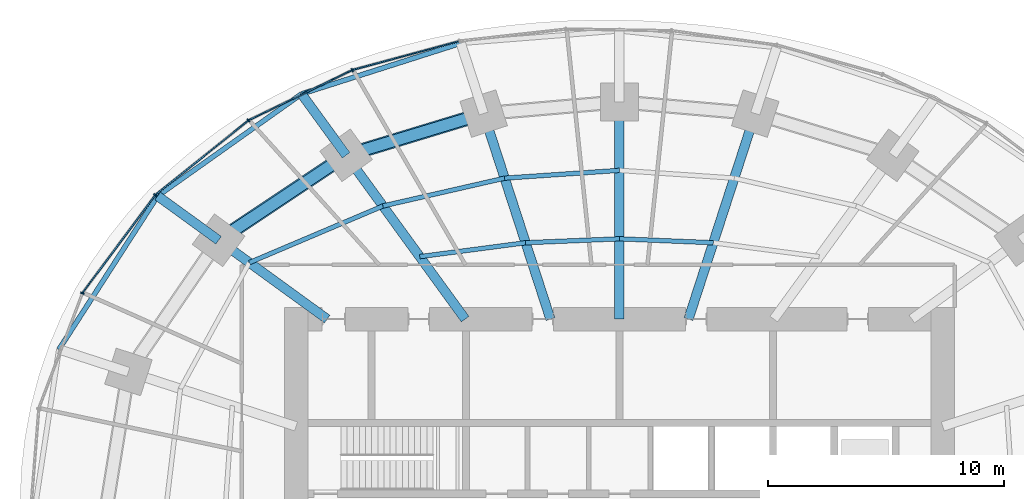
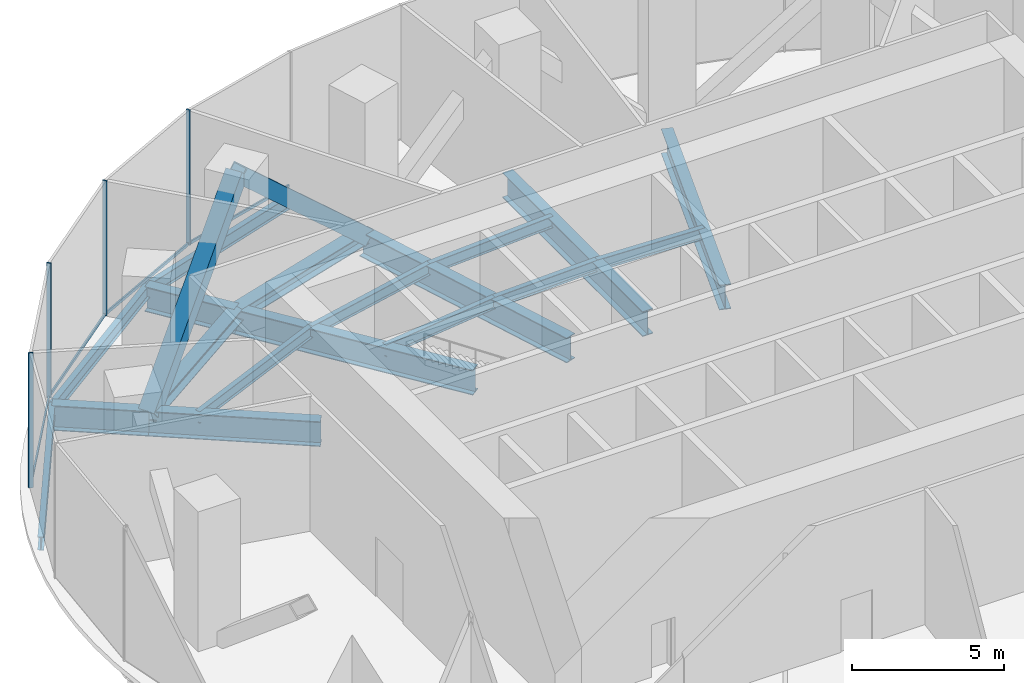
# One storey, part 7 of 14: 16 beams, 12 members, 2 elements without a shape of their own.
"""IFC4 building model written with IfcOpenShell, lengths in metres."""

from ifc_helpers import new_model, si_unit, direction, frame, origin, origin_2d, place, context, subcontext, project, spatial, rectangle, hollow_rectangle, i_section, extrude, material, material_profile, profile_set, type_object, element, aggregate, save


model = new_model("IFC4")

# Units and contexts
model_context = context("Model", 3, precision=1e-05, world=origin(), true_north=direction((0.0, 1.0)))
body_context = subcontext(model_context, "Body", "Model", "MODEL_VIEW")
ifc_project = project(units=[si_unit("LENGTHUNIT", "METRE"), si_unit("AREAUNIT", "SQUARE_METRE"), si_unit("VOLUMEUNIT", "CUBIC_METRE"), si_unit("PLANEANGLEUNIT", "RADIAN"), si_unit("MASSUNIT", "GRAM", prefix="KILO")], contexts=[model_context])

# Site, building, storey
site_placement = place(None, origin())
site = spatial("IfcSite", under=ifc_project, at=site_placement, CompositionType="ELEMENT")
building_placement = place(site_placement, origin())
building = spatial("IfcBuilding", under=site, at=building_placement, Name="Marramba Exchange Tower", CompositionType="ELEMENT")
storey_placement = place(building_placement, frame((0.0, 0.0, 166.5)))
storey = spatial("IfcBuildingStorey", under=building, at=storey_placement, Name="L40", CompositionType="ELEMENT", Elevation=166.5)

# Members
ifc_material_1 = material(Name="Steel AS/NZS 3679.2 grade 300", Category="steel")
ifc_material_profile_1 = material_profile(ifc_material_1, i_section(OverallWidth=0.5, OverallDepth=0.48388671875, WebThickness=0.02490234375, FlangeThickness=0.031982421875, at=origin_2d()), Name="500WC340")
ifc_profile_set_1 = profile_set([ifc_material_profile_1], Name="Steel AS/NZS 3679.2 grade 300")
member_type_1 = type_object("IfcMemberType", Name="Belt truss chord 500WC340", PredefinedType="CHORD", material=ifc_profile_set_1)
member_1_placement = place(storey_placement, frame((-5.75390625, 17.70849609375, -0.44189453125), z_axis=(-0.956924542524, -0.290336735387, 0.0), x_axis=(0.290336735387, -0.956924542524, 0.0)))
element("IfcMember", 1, at=member_1_placement, inside=storey, type_object=member_type_1, Name="Belt chord L40 TC07-TC08", PredefinedType="CHORD", context=body_context, shape_type="SweptSolid", body=[
    extrude(i_section(OverallWidth=0.5, OverallDepth=0.48388671875, WebThickness=0.02490234375, FlangeThickness=0.031982421875, at=origin_2d()), origin(), (0.0, 0.0, 1.0), 6.089599609375),
])
member_2_placement = place(storey_placement, frame((-11.581298828125, 15.9404296875, -0.44189453125), z_axis=(-0.832293151443, -0.554335737673, 0.0), x_axis=(0.554335737673, -0.832293151443, 0.0)))
element("IfcMember", 2, at=member_2_placement, inside=storey, type_object=member_type_1, Name="Belt chord L40 TC08-TC09", PredefinedType="CHORD", context=body_context, shape_type="SweptSolid", body=[
    extrude(i_section(OverallWidth=0.5, OverallDepth=0.48388671875, WebThickness=0.02490234375, FlangeThickness=0.031982421875, at=origin_2d()), origin(), (0.0, 0.0, 1.0), 6.49365234375),
])
ifc_material_2 = material(Name="Steel AS/NZS 3678 grade 350", Category="steel")
ifc_material_profile_2 = material_profile(ifc_material_2, hollow_rectangle(XDim=0.60009765625, YDim=0.60009765625, WallThickness=0.0400390625, at=origin_2d()), Name="600x600x40BOX")
ifc_profile_set_2 = profile_set([ifc_material_profile_2], Name="Steel AS/NZS 3678 grade 350")
member_type_2 = type_object("IfcMemberType", Name="Belt truss diagonal 600x600x40BOX", PredefinedType="BRACE", material=ifc_profile_set_2)
member_3_placement = place(storey_placement, frame((-5.75390625, 17.70849609375, -0.44189453125), z_axis=(-0.704384845581, -0.213714652968, 0.676881109518), x_axis=(0.290336735387, -0.956924542524, 0.0)))
element("IfcMember", 3, at=member_3_placement, inside=storey, type_object=member_type_2, Name="Belt truss BT40 diagonal 07", PredefinedType="BRACE", context=body_context, shape_type="SweptSolid", body=[
    extrude(hollow_rectangle(XDim=0.60009765625, YDim=0.60009765625, WallThickness=0.0400390625, at=origin_2d()), origin(), (0.0, 0.0, 1.0), 8.27294921875),
])
member_4_placement = place(storey_placement, frame((-11.581298828125, 15.9404296875, 5.157958984375), z_axis=(-0.630292951441, -0.419796687719, -0.653070850937), x_axis=(0.554335737673, -0.832293151443, 0.0)))
element("IfcMember", 4, at=member_4_placement, inside=storey, type_object=member_type_2, Name="Belt truss BT40 diagonal 08", PredefinedType="BRACE", context=body_context, shape_type="SweptSolid", body=[
    extrude(hollow_rectangle(XDim=0.60009765625, YDim=0.60009765625, WallThickness=0.0400390625, at=origin_2d()), origin(), (0.0, 0.0, 1.0), 8.57470703125),
])

# Beams
ifc_material_profile_3 = material_profile(ifc_material_1, i_section(OverallWidth=0.39990234375, OverallDepth=1.0, WebThickness=0.01611328125, FlangeThickness=0.031982421875, at=origin_2d()), Name="1000WB322")
ifc_profile_set_3 = profile_set([ifc_material_profile_3], Name="Steel AS/NZS 3679.2 grade 300")
beam_type_1 = type_object("IfcBeamType", Name="Cantilever girder 1000WB322", PredefinedType="BEAM", material=ifc_profile_set_3)
beam_1_placement = place(storey_placement, frame((-11.581298828125, 15.9404296875, -0.699951171875), z_axis=(-0.587828447158, 0.808985609706, 0.0), x_axis=(-0.808985609706, -0.587828447158, 0.0)))
element("IfcBeam", 5, at=beam_1_placement, inside=storey, type_object=beam_type_1, Name="Cantilever girder L40 TC08", PredefinedType="BEAM", context=body_context, shape_type="SweptSolid", body=[
    extrude(i_section(OverallWidth=0.39990234375, OverallDepth=1.0, WebThickness=0.01611328125, FlangeThickness=0.031982421875, at=origin_2d()), origin(), (0.0, 0.0, 1.0), 3.214599609375),
])
beam_2_placement = place(storey_placement, frame((-16.98583984375, 12.3408203125, -0.699951171875), z_axis=(-0.809013857915, 0.587789569234, 0.0), x_axis=(-0.587789569234, -0.809013857915, 0.0)))
element("IfcBeam", 6, at=beam_2_placement, inside=storey, type_object=beam_type_1, Name="Cantilever girder L40 TC09", PredefinedType="BEAM", context=body_context, shape_type="SweptSolid", body=[
    extrude(i_section(OverallWidth=0.39990234375, OverallDepth=1.0, WebThickness=0.01611328125, FlangeThickness=0.031982421875, at=origin_2d()), origin(), (0.0, 0.0, 1.0), 3.191650390625),
])
ifc_material_3 = material(Name="Steel AS/NZS 3679.1 grade 300", Category="steel")
ifc_material_profile_4 = material_profile(ifc_material_3, i_section(OverallWidth=0.19091796875, OverallDepth=0.4599609375, WebThickness=0.010009765625, FlangeThickness=0.01611328125, FilletRadius=0.011474609375, at=origin_2d()), Name="460UB82.1")
ifc_profile_set_4 = profile_set([ifc_material_profile_4], Name="Steel AS/NZS 3679.1 grade 300")
beam_type_2 = type_object("IfcBeamType", Name="Floor joist 460UB82.1", PredefinedType="JOIST", material=ifc_profile_set_4)
for number, where, z_axis, x_axis, name in (
    (7, (3.975830078125, 12.236083984375, -0.429931640625), (-0.999137002892, 0.041536122257, 0.0), (-0.041536122257, -0.999137002892, 0.0), "Joist L40 bay 05 row 1"),
    (8, (0.0, 12.4013671875, -0.429931640625), (-0.999137002892, -0.041536122257, 0.0), (0.041536122257, -0.999137002892, 0.0), "Joist L40 bay 06 row 1"),
):
    element("IfcBeam", number, at=place(storey_placement, frame(where, z_axis=z_axis, x_axis=x_axis)), inside=storey, type_object=beam_type_2, Name=name, PredefinedType="JOIST", context=body_context, shape_type="SweptSolid", body=[
        extrude(i_section(OverallWidth=0.19091796875, OverallDepth=0.4599609375, WebThickness=0.010009765625, FlangeThickness=0.01611328125, FilletRadius=0.011474609375, at=origin_2d()), origin(), (0.0, 0.0, 1.0), 3.979248046875),
    ])
beam_3_placement = place(storey_placement, frame((0.0, 15.302734375, -0.429931640625), z_axis=(-0.997702652202, -0.067745241816, 0.0), x_axis=(0.067745241816, -0.997702652202, 0.0)))
element("IfcBeam", 9, at=beam_3_placement, inside=storey, type_object=beam_type_2, Name="Joist L40 bay 06 row 2", PredefinedType="JOIST", context=body_context, shape_type="SweptSolid", body=[
    extrude(i_section(OverallWidth=0.19091796875, OverallDepth=0.4599609375, WebThickness=0.010009765625, FlangeThickness=0.01611328125, FilletRadius=0.011474609375, at=origin_2d()), origin(), (0.0, 0.0, 1.0), 4.8759765625),
])
beam_4_placement = place(storey_placement, frame((-3.975830078125, 12.236083984375, -0.429931640625), z_axis=(-0.991480538255, -0.130254912618, 0.0), x_axis=(0.130254912618, -0.991480538255, 0.0)))
element("IfcBeam", 10, at=beam_4_placement, inside=storey, type_object=beam_type_2, Name="Joist L40 bay 07 row 1", PredefinedType="JOIST", context=body_context, shape_type="SweptSolid", body=[
    extrude(i_section(OverallWidth=0.19091796875, OverallDepth=0.4599609375, WebThickness=0.010009765625, FlangeThickness=0.01611328125, FilletRadius=0.011474609375, at=origin_2d()), origin(), (0.0, 0.0, 1.0), 4.524658203125),
])
beam_5_placement = place(storey_placement, frame((-4.86474609375, 14.972412109375, -0.429931640625), z_axis=(-0.974859652292, -0.222819788916, 0.0), x_axis=(0.222819788916, -0.974859652292, 0.0)))
element("IfcBeam", 11, at=beam_5_placement, inside=storey, type_object=beam_type_2, Name="Joist L40 bay 07 row 2", PredefinedType="JOIST", context=body_context, shape_type="SweptSolid", body=[
    extrude(i_section(OverallWidth=0.19091796875, OverallDepth=0.4599609375, WebThickness=0.010009765625, FlangeThickness=0.01611328125, FilletRadius=0.011474609375, at=origin_2d()), origin(), (0.0, 0.0, 1.0), 5.2900390625),
])
beam_6_placement = place(storey_placement, frame((-10.021728515625, 13.793701171875, -0.429931640625), z_axis=(-0.920674336375, -0.390331610738, 0.0), x_axis=(0.390331610738, -0.920674336375, 0.0)))
element("IfcBeam", 12, at=beam_6_placement, inside=storey, type_object=beam_type_2, Name="Joist L40 bay 08 row 2", PredefinedType="JOIST", context=body_context, shape_type="SweptSolid", body=[
    extrude(i_section(OverallWidth=0.19091796875, OverallDepth=0.4599609375, WebThickness=0.010009765625, FlangeThickness=0.01611328125, FilletRadius=0.011474609375, at=origin_2d()), origin(), (0.0, 0.0, 1.0), 6.1484375),
])

# Curtain wall, members
ifc_material_4 = material(Name="Aluminium framing, bronze anodised", Category="aluminium")
curtain_wall_type = type_object("IfcCurtainWallType", Name="Plant floor louvred curtain wall", PredefinedType="USERDEFINED", material=ifc_material_4)
curtain_wall_1_placement = place(storey_placement, origin())
curtain_wall_1 = element("IfcCurtainWall", 13, at=curtain_wall_1_placement, inside=storey, type_object=curtain_wall_type, Name="Curtain wall CW6 L40 F11-F15", ObjectType="RIBBON CURTAIN WALL", PredefinedType="USERDEFINED")
ifc_material_5 = material(Name="Aluminium mullion, bronze anodised", Category="aluminium")
ifc_material_profile_5 = material_profile(ifc_material_5, rectangle(XDim=0.159912109375, YDim=0.06005859375, at=origin_2d()), Name="CW6 mullion 60x160")
ifc_profile_set_5 = profile_set([ifc_material_profile_5], Name="Aluminium mullion, bronze anodised")
member_type_3 = type_object("IfcMemberType", Name="Plant floor louvred curtain wall mullion", PredefinedType="MULLION", material=ifc_profile_set_5)
member_5_placement = place(storey_placement, frame((-11.32177734375, 19.550048828125, 0.0), z_axis=(0.0, 0.0, 1.0), x_axis=(0.435427626771, -0.900223739881, 0.0)))
member_5 = element("IfcMember", 14, at=member_5_placement, type_object=member_type_3, Name="CW6 mullion 1", PredefinedType="MULLION", context=body_context, shape_type="SweptSolid", body=[
    extrude(rectangle(XDim=0.159912109375, YDim=0.06005859375, at=origin_2d()), origin(), (0.0, 0.0, 1.0), 5.39990234375),
])
member_6_placement = place(storey_placement, frame((-15.720703125, 17.414794921875, 0.0), z_axis=(0.0, 0.0, 1.0), x_axis=(0.624307950145, -0.78117833008, 0.0)))
member_6 = element("IfcMember", 15, at=member_6_placement, type_object=member_type_3, Name="CW6 mullion 1", PredefinedType="MULLION", context=body_context, shape_type="SweptSolid", body=[
    extrude(rectangle(XDim=0.159912109375, YDim=0.06005859375, at=origin_2d()), origin(), (0.0, 0.0, 1.0), 5.39990234375),
])
member_7_placement = place(storey_placement, frame((-19.666748046875, 14.251708984375, 0.0), z_axis=(0.0, 0.0, 1.0), x_axis=(0.80171686484, -0.597703997504, 0.0)))
member_7 = element("IfcMember", 16, at=member_7_placement, type_object=member_type_3, Name="CW6 mullion 1", PredefinedType="MULLION", context=body_context, shape_type="SweptSolid", body=[
    extrude(rectangle(XDim=0.159912109375, YDim=0.06005859375, at=origin_2d()), origin(), (0.0, 0.0, 1.0), 5.39990234375),
])
member_8_placement = place(storey_placement, frame((-22.75341796875, 10.09765625, 0.0), z_axis=(0.0, 0.0, 1.0), x_axis=(0.934925346317, -0.354844468484, 0.0)))
member_8 = element("IfcMember", 17, at=member_8_placement, type_object=member_type_3, Name="CW6 mullion 1", PredefinedType="MULLION", context=body_context, shape_type="SweptSolid", body=[
    extrude(rectangle(XDim=0.159912109375, YDim=0.06005859375, at=origin_2d()), origin(), (0.0, 0.0, 1.0), 5.39990234375),
])

# Curtain wall, member
curtain_wall_2_placement = place(storey_placement, origin())
curtain_wall_2 = element("IfcCurtainWall", 18, at=curtain_wall_2_placement, inside=storey, type_object=curtain_wall_type, Name="Curtain wall CW6 L40 F06-F10", ObjectType="RIBBON CURTAIN WALL", PredefinedType="USERDEFINED")
ifc_material_6 = material(Name="Aluminium transom, bronze anodised", Category="aluminium")
ifc_material_profile_6 = material_profile(ifc_material_6, rectangle(XDim=0.06005859375, YDim=0.1201171875, at=origin_2d()), Name="CW6 transom 60x120")
ifc_profile_set_6 = profile_set([ifc_material_profile_6], Name="Aluminium transom, bronze anodised")
member_type_4 = type_object("IfcMemberType", Name="Plant floor louvred curtain wall transom", PredefinedType="USERDEFINED", material=ifc_profile_set_6)
member_9_placement = place(storey_placement, frame((-6.812255859375, 20.771728515625, 0.030029296875), z_axis=(-0.965511085148, -0.260361948942, 0.0), x_axis=(0.260361948942, -0.965511085148, 0.0)))
member_9 = element("IfcMember", 19, at=member_9_placement, type_object=member_type_4, Name="CW6 sill transom", ObjectType="TRANSOM", PredefinedType="USERDEFINED", context=body_context, shape_type="SweptSolid", body=[
    extrude(rectangle(XDim=0.06005859375, YDim=0.1201171875, at=origin_2d()), origin(), (0.0, 0.0, 1.0), 4.642578125),
])
aggregate(curtain_wall_2, [member_9])

# Member
member_10_placement = place(storey_placement, frame((-11.348876953125, 19.536865234375, 0.030029296875), z_axis=(-0.900223166385, -0.435428812442, 0.0), x_axis=(0.435428812442, -0.900223166385, 0.0)))
member_10 = element("IfcMember", 20, at=member_10_placement, type_object=member_type_4, Name="CW6 sill transom", ObjectType="TRANSOM", PredefinedType="USERDEFINED", context=body_context, shape_type="SweptSolid", body=[
    extrude(rectangle(XDim=0.06005859375, YDim=0.1201171875, at=origin_2d()), origin(), (0.0, 0.0, 1.0), 4.830322265625),
])

member_11_placement = place(storey_placement, frame((-15.744140625, 17.396240234375, 0.030029296875), z_axis=(-0.781164169531, -0.624325668414, 0.0), x_axis=(0.624325668414, -0.781164169531, 0.0)))
member_11 = element("IfcMember", 21, at=member_11_placement, type_object=member_type_4, Name="CW6 sill transom", ObjectType="TRANSOM", PredefinedType="USERDEFINED", context=body_context, shape_type="SweptSolid", body=[
    extrude(rectangle(XDim=0.06005859375, YDim=0.1201171875, at=origin_2d()), origin(), (0.0, 0.0, 1.0), 4.998291015625),
])

member_12_placement = place(storey_placement, frame((-19.6845703125, 14.2275390625, 0.030029296875), z_axis=(-0.597714731658, -0.801708862093, 0.0), x_axis=(0.801708862093, -0.597714731658, 0.0)))
member_12 = element("IfcMember", 22, at=member_12_placement, type_object=member_type_4, Name="CW6 sill transom", ObjectType="TRANSOM", PredefinedType="USERDEFINED", context=body_context, shape_type="SweptSolid", body=[
    extrude(rectangle(XDim=0.06005859375, YDim=0.1201171875, at=origin_2d()), origin(), (0.0, 0.0, 1.0), 5.1162109375),
])

aggregate(curtain_wall_1, [member_5, member_10, member_6, member_11, member_7, member_12, member_8])

# Beams
ifc_material_profile_7 = material_profile(ifc_material_1, i_section(OverallWidth=0.39990234375, OverallDepth=1.0, WebThickness=0.01611328125, FlangeThickness=0.031982421875, at=origin_2d()), Name="1000WB322")
ifc_profile_set_7 = profile_set([ifc_material_profile_7], Name="Steel AS/NZS 3679.2 grade 300")
beam_type_3 = type_object("IfcBeamType", Name="Radial girder 1000WB322", PredefinedType="BEAM", material=ifc_profile_set_7)
beam_7_placement = place(storey_placement, frame((2.92431640625, 9.0, -0.699951171875), z_axis=(0.309019754162, 0.951055619582, 0.0), x_axis=(-0.951055619582, 0.309019754162, 0.0)))
element("IfcBeam", 23, at=beam_7_placement, inside=storey, type_object=beam_type_3, Name="Radial girder L40 TC05", PredefinedType="BEAM", context=body_context, shape_type="SweptSolid", body=[
    extrude(i_section(OverallWidth=0.39990234375, OverallDepth=1.0, WebThickness=0.01611328125, FlangeThickness=0.031982421875, at=origin_2d()), origin(), (0.0, 0.0, 1.0), 9.15673828125),
])
beam_8_placement = place(storey_placement, frame((0.0, 9.0, -0.699951171875), z_axis=(0.0, 1.0, 0.0), x_axis=(-1.0, 0.0, 0.0)))
element("IfcBeam", 24, at=beam_8_placement, inside=storey, type_object=beam_type_3, Name="Radial girder L40 TC06", PredefinedType="BEAM", context=body_context, shape_type="SweptSolid", body=[
    extrude(i_section(OverallWidth=0.39990234375, OverallDepth=1.0, WebThickness=0.01611328125, FlangeThickness=0.031982421875, at=origin_2d()), origin(), (0.0, 0.0, 1.0), 9.2041015625),
])
beam_9_placement = place(storey_placement, frame((-2.92431640625, 9.0, -0.699951171875), z_axis=(-0.309019754162, 0.951055619582, 0.0), x_axis=(-0.951055619582, -0.309019754162, 0.0)))
element("IfcBeam", 25, at=beam_9_placement, inside=storey, type_object=beam_type_3, Name="Radial girder L40 TC07", PredefinedType="BEAM", context=body_context, shape_type="SweptSolid", body=[
    extrude(i_section(OverallWidth=0.39990234375, OverallDepth=1.0, WebThickness=0.01611328125, FlangeThickness=0.031982421875, at=origin_2d()), origin(), (0.0, 0.0, 1.0), 9.15673828125),
])
beam_10_placement = place(storey_placement, frame((-6.538818359375, 9.0, -0.699951171875), z_axis=(-0.587782439969, 0.80901903764, 0.0), x_axis=(-0.80901903764, -0.587782439969, 0.0)))
element("IfcBeam", 26, at=beam_10_placement, inside=storey, type_object=beam_type_3, Name="Radial girder L40 TC08", PredefinedType="BEAM", context=body_context, shape_type="SweptSolid", body=[
    extrude(i_section(OverallWidth=0.39990234375, OverallDepth=1.0, WebThickness=0.01611328125, FlangeThickness=0.031982421875, at=origin_2d()), origin(), (0.0, 0.0, 1.0), 8.578857421875),
])
beam_11_placement = place(storey_placement, frame((-12.387451171875, 9.0, -0.699951171875), z_axis=(-0.809025746925, 0.587773205252, 0.0), x_axis=(-0.587773205252, -0.809025746925, 0.0)))
element("IfcBeam", 27, at=beam_11_placement, inside=storey, type_object=beam_type_3, Name="Radial girder L40 TC09", PredefinedType="BEAM", context=body_context, shape_type="SweptSolid", body=[
    extrude(i_section(OverallWidth=0.39990234375, OverallDepth=1.0, WebThickness=0.01611328125, FlangeThickness=0.031982421875, at=origin_2d()), origin(), (0.0, 0.0, 1.0), 5.683837890625),
])
ifc_material_profile_8 = material_profile(ifc_material_3, i_section(OverallWidth=0.208984375, OverallDepth=0.528076171875, WebThickness=0.009521484375, FlangeThickness=0.01318359375, FilletRadius=0.013916015625, at=origin_2d()), Name="530UB82.0")
ifc_profile_set_8 = profile_set([ifc_material_profile_8], Name="Steel AS/NZS 3679.1 grade 300")
beam_type_4 = type_object("IfcBeamType", Name="Slab edge beam 530UB82.0", PredefinedType="SPANDREL", material=ifc_profile_set_8)
beam_12_placement = place(storey_placement, frame((-6.723388671875, 20.692138671875, -0.464111328125), z_axis=(-0.952755400854, -0.303738614839, 0.0), x_axis=(0.303738614839, -0.952755400854, 0.0)))
element("IfcBeam", 28, at=beam_12_placement, inside=storey, type_object=beam_type_4, Name="Slab edge beam L40 TC07-TC08", PredefinedType="SPANDREL", context=body_context, shape_type="SweptSolid", body=[
    extrude(i_section(OverallWidth=0.208984375, OverallDepth=0.528076171875, WebThickness=0.009521484375, FlangeThickness=0.01318359375, FilletRadius=0.013916015625, at=origin_2d()), origin(), (0.0, 0.0, 1.0), 7.08203125),
])
beam_13_placement = place(storey_placement, frame((-13.470947265625, 18.541015625, -0.464111328125), z_axis=(-0.815673202412, -0.578512944425, 0.0), x_axis=(0.578512944425, -0.815673202412, 0.0)))
element("IfcBeam", 29, at=beam_13_placement, inside=storey, type_object=beam_type_4, Name="Slab edge beam L40 TC08-TC09", PredefinedType="SPANDREL", context=body_context, shape_type="SweptSolid", body=[
    extrude(i_section(OverallWidth=0.208984375, OverallDepth=0.528076171875, WebThickness=0.009521484375, FlangeThickness=0.01318359375, FilletRadius=0.013916015625, at=origin_2d()), origin(), (0.0, 0.0, 1.0), 7.474609375),
])
beam_14_placement = place(storey_placement, frame((-19.56787109375, 14.216796875, -0.464111328125), z_axis=(-0.541060886597, -0.840983422544, 0.0), x_axis=(0.840983422544, -0.541060886597, 0.0)))
element("IfcBeam", 30, at=beam_14_placement, inside=storey, type_object=beam_type_4, Name="Slab edge beam L40 TC09-TC10", PredefinedType="SPANDREL", context=body_context, shape_type="SweptSolid", body=[
    extrude(i_section(OverallWidth=0.208984375, OverallDepth=0.528076171875, WebThickness=0.009521484375, FlangeThickness=0.01318359375, FilletRadius=0.013916015625, at=origin_2d()), origin(), (0.0, 0.0, 1.0), 7.72900390625),
])

save(model, "model.ifc")
